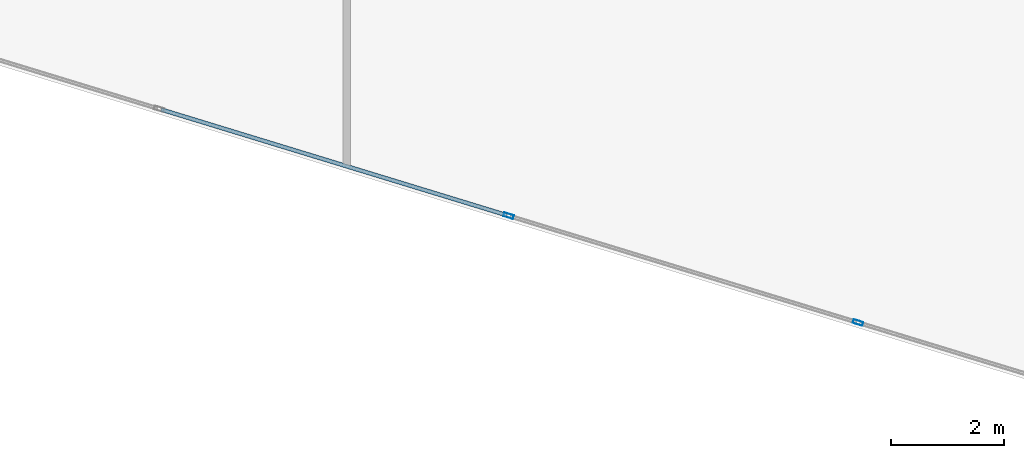
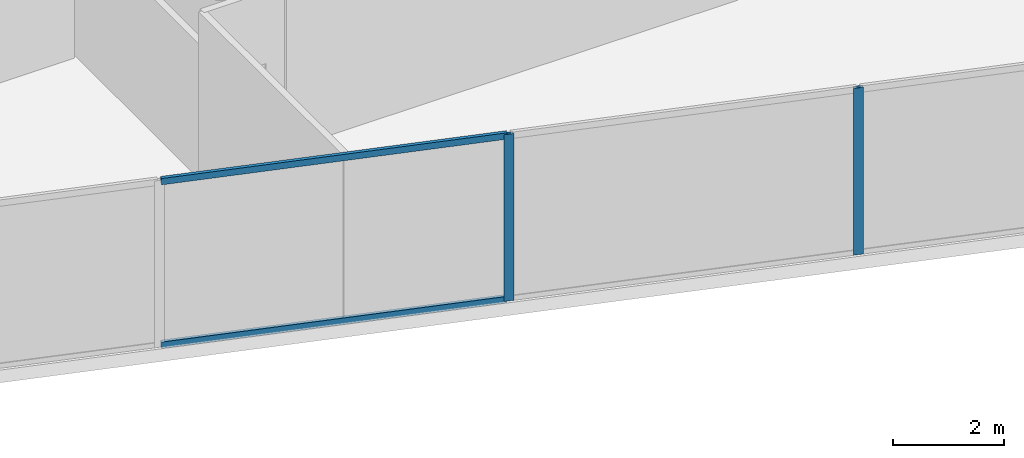
# One storey, part 3 of 26: 4 members, 1 element without a shape of its own.
"""IFC4 building model written with IfcOpenShell, lengths in metres."""

from ifc_helpers import new_model, si_unit, direction, frame, origin, origin_2d, place, context, subcontext, project, spatial, hollow_rectangle, extrude, source, transform, mapped, material, material_profile, profile_set, type_object, type_shapes, element, aggregate, save


model = new_model("IFC4")

# Units and contexts
model_context = context("Model", 3, precision=1e-05, world=origin(), true_north=direction((0.0, 1.0)))
body_context = subcontext(model_context, "Body", "Model", "MODEL_VIEW")
ifc_project = project(units=[si_unit("LENGTHUNIT", "METRE"), si_unit("AREAUNIT", "SQUARE_METRE"), si_unit("VOLUMEUNIT", "CUBIC_METRE"), si_unit("PLANEANGLEUNIT", "RADIAN"), si_unit("MASSUNIT", "GRAM", prefix="KILO")], contexts=[model_context])

# Site, building, storey
site_placement = place(None, origin())
site = spatial("IfcSite", under=ifc_project, at=site_placement, CompositionType="ELEMENT")
building_placement = place(site_placement, origin())
building = spatial("IfcBuilding", under=site, at=building_placement, Name="Krantzveldt Concourse Tower", CompositionType="ELEMENT")
storey_placement = place(building_placement, frame((0.0, 0.0, 113.75)))
storey = spatial("IfcBuildingStorey", under=building, at=storey_placement, Name="L27", CompositionType="ELEMENT", Elevation=113.75)

# Curtain wall, members
ifc_material = material(Name="Anodised aluminium 6063-T6", Category="aluminium")
curtain_wall_type = type_object("IfcCurtainWallType", Name="CW2", PredefinedType="USERDEFINED", material=ifc_material)
curtain_wall_placement = place(storey_placement, origin())
curtain_wall = element("IfcCurtainWall", 1, at=curtain_wall_placement, inside=storey, type_object=curtain_wall_type, Name="CW-L27-F04", ObjectType="UNITISED CURTAIN WALL", PredefinedType="USERDEFINED")
ifc_material_profile_1 = material_profile(ifc_material, hollow_rectangle(XDim=0.070068359375, YDim=0.179931640625, WallThickness=0.0048828125, at=origin_2d()), Name="Anodised aluminium 6063-T6", Category="aluminium")
ifc_profile_set_1 = profile_set([ifc_material_profile_1], Name="Anodised aluminium 6063-T6 - ALU-MULL 180x70x5")
member_type_1 = type_object("IfcMemberType", Name="CW-MUL-180", PredefinedType="MULLION", material=ifc_profile_set_1)
shared_shape_1 = source(origin(), body_context, "Body", "SweptSolid", [
    extrude(hollow_rectangle(XDim=0.070068359375, YDim=0.179931640625, WallThickness=0.0048828125, at=origin_2d()), origin(), (0.0, 0.0, 1.0), 3.669921875),
])
type_shapes(member_type_1, [shared_shape_1])
member_1_placement = place(storey_placement, frame((29.184814453125, 4.408447265625, 0.0), z_axis=(0.0, 0.0, 1.0), x_axis=(0.292371686864, 0.956304761423, 0.0)))
member_1 = element("IfcMember", 2, at=member_1_placement, type_object=member_type_1, Name="CW-Z12 mullion 4", PredefinedType="MULLION", context=body_context, shape_type="MappedRepresentation", body=[
    mapped(shared_shape_1, transform((0.0, 0.0, 0.0), x_axis=(1.0, 0.0, 0.0), y_axis=(0.0, 1.0, 0.0), z_axis=(0.0, 0.0, 1.0), scale=1.0)),
])
member_2_placement = place(storey_placement, frame((35.368896484375, 2.517822265625, 0.0), z_axis=(0.0, 0.0, 1.0), x_axis=(0.292371686864, 0.956304761423, 0.0)))
member_2 = element("IfcMember", 3, at=member_2_placement, type_object=member_type_1, Name="CW-Z12 mullion 5", PredefinedType="MULLION", context=body_context, shape_type="MappedRepresentation", body=[
    mapped(shared_shape_1, transform((0.0, 0.0, 0.0), x_axis=(1.0, 0.0, 0.0), y_axis=(0.0, 1.0, 0.0), z_axis=(0.0, 0.0, 1.0), scale=1.0)),
])
ifc_material_profile_2 = material_profile(ifc_material, hollow_rectangle(XDim=0.070068359375, YDim=0.139892578125, WallThickness=0.0048828125, at=origin_2d()), Name="Anodised aluminium 6063-T6", Category="aluminium")
ifc_profile_set_2 = profile_set([ifc_material_profile_2], Name="Anodised aluminium 6063-T6 - ALU-TRAN 140x70x5")
member_type_2 = type_object("IfcMemberType", Name="CW-TRN-150", PredefinedType="USERDEFINED", material=ifc_profile_set_2)
shared_shape_2 = source(origin(), body_context, "Body", "SweptSolid", [
    extrude(hollow_rectangle(XDim=0.070068359375, YDim=0.139892578125, WallThickness=0.0048828125, at=origin_2d()), origin(), (0.0, 0.0, 1.0), 6.396728515625),
])
type_shapes(member_type_2, [shared_shape_2])
member_3_placement = place(storey_placement, frame((23.0341796875, 6.2890625, 0.034912109375), z_axis=(0.956298224466, -0.292393067434, 0.0), x_axis=(0.292393067434, 0.956298224466, 0.0)))
member_3 = element("IfcMember", 4, at=member_3_placement, type_object=member_type_2, Name="CW-Z12 transom 3.1", ObjectType="TRANSOM", PredefinedType="USERDEFINED", context=body_context, shape_type="MappedRepresentation", body=[
    mapped(shared_shape_2, transform((0.0, 0.0, 0.0), x_axis=(1.0, 0.0, 0.0), y_axis=(0.0, 1.0, 0.0), z_axis=(0.0, 0.0, 1.0), scale=1.0)),
])
member_4_placement = place(storey_placement, frame((23.0341796875, 6.2890625, 3.635009765625), z_axis=(0.956298224466, -0.292393067434, 0.0), x_axis=(0.292393067434, 0.956298224466, 0.0)))
member_4 = element("IfcMember", 5, at=member_4_placement, type_object=member_type_2, Name="CW-Z12 transom 3.2", ObjectType="TRANSOM", PredefinedType="USERDEFINED", context=body_context, shape_type="MappedRepresentation", body=[
    mapped(shared_shape_2, transform((0.0, 0.0, 0.0), x_axis=(1.0, 0.0, 0.0), y_axis=(0.0, 1.0, 0.0), z_axis=(0.0, 0.0, 1.0), scale=1.0)),
])
aggregate(curtain_wall, [member_1, member_2, member_3, member_4])

save(model, "model.ifc")
